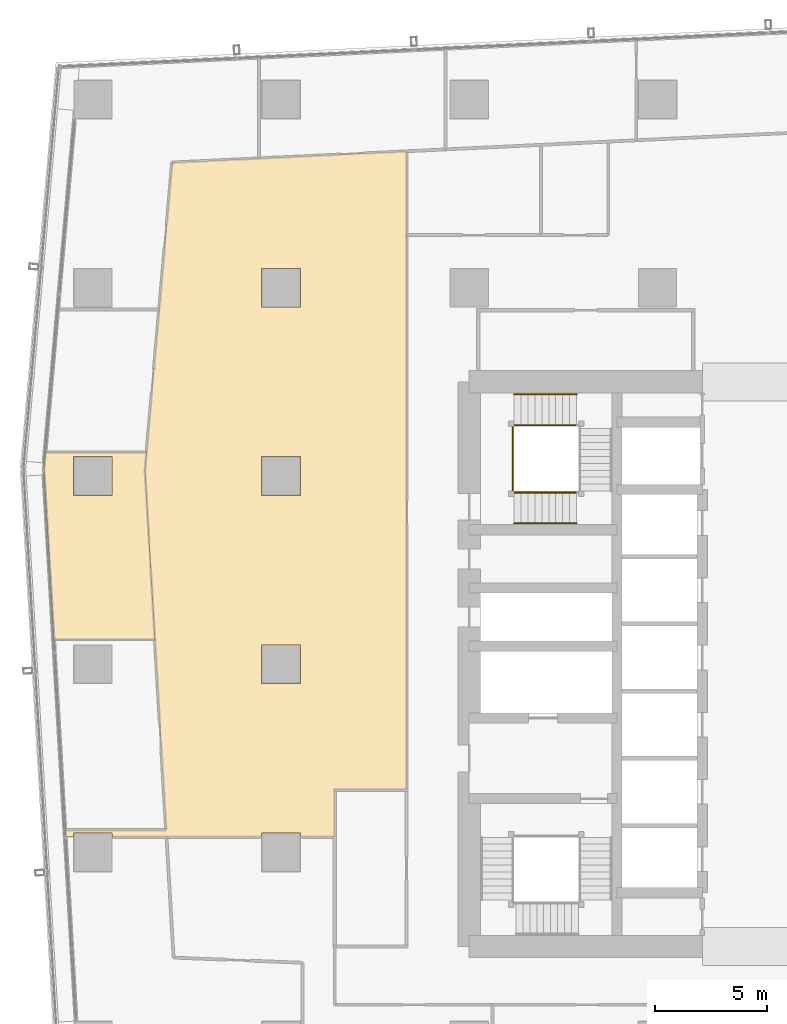
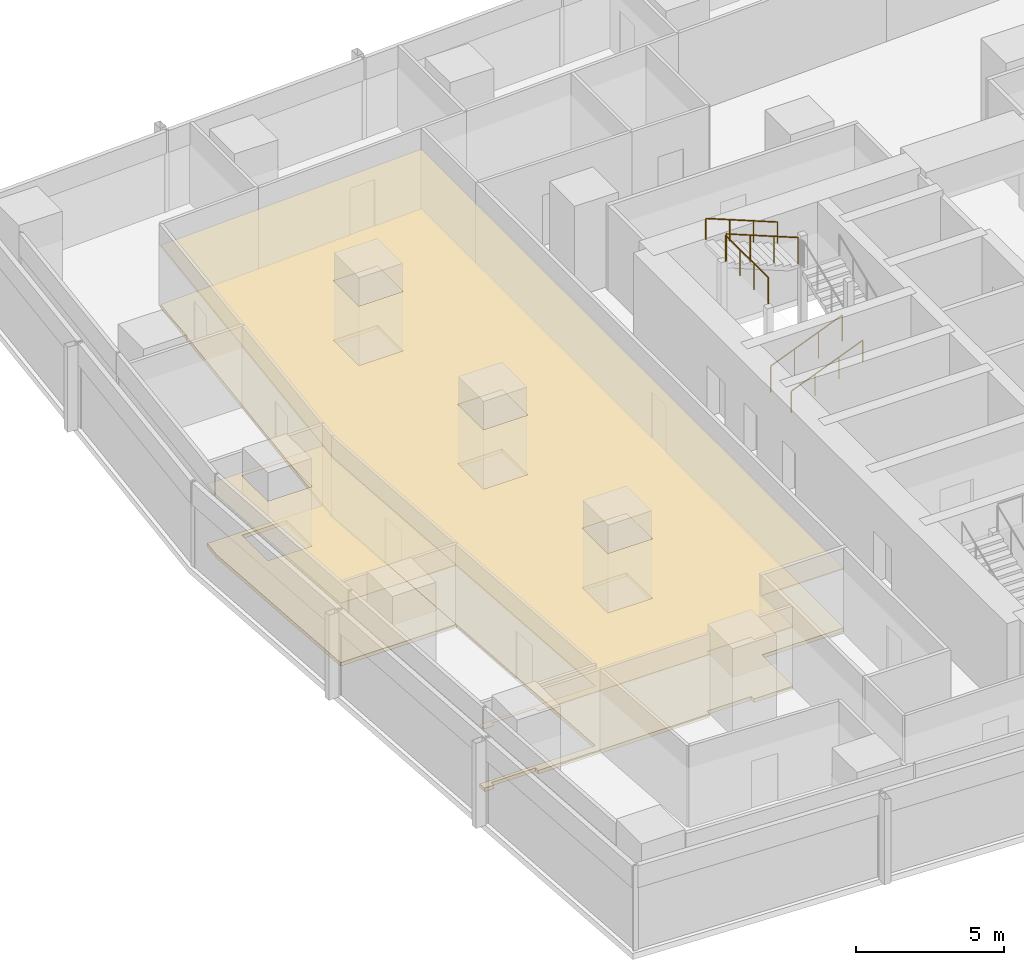
# One storey, part 34 of 39: 5 railings, 4 coverings.
"""IFC4 building model written with IfcOpenShell, lengths in metres."""

from ifc_helpers import new_model, si_unit, direction, frame, origin, origin_2d, place, context, subcontext, project, spatial, polyline, circle, outline, extrude, material, layer, layer_set, type_object, element, save


model = new_model("IFC4")

# Units and contexts
model_context = context("Model", 3, precision=1e-05, world=origin(), true_north=direction((0.0, 1.0)))
body_context = subcontext(model_context, "Body", "Model", "MODEL_VIEW")
ifc_project = project(units=[si_unit("LENGTHUNIT", "METRE"), si_unit("AREAUNIT", "SQUARE_METRE"), si_unit("VOLUMEUNIT", "CUBIC_METRE"), si_unit("PLANEANGLEUNIT", "RADIAN"), si_unit("MASSUNIT", "GRAM", prefix="KILO")], contexts=[model_context])

# Site, building, storey
site_placement = place(None, origin())
site = spatial("IfcSite", under=ifc_project, at=site_placement, CompositionType="ELEMENT")
building_placement = place(site_placement, origin())
building = spatial("IfcBuilding", under=site, at=building_placement, Name="Rekha Terrace Tower", CompositionType="ELEMENT")
storey_placement = place(building_placement, frame((0.0, 0.0, 180.199951171875)))
storey = spatial("IfcBuildingStorey", under=building, at=storey_placement, Name="L45", CompositionType="ELEMENT", Elevation=180.199951171875)

# Coverings
ifc_material_1 = material(Name="Mineral fibre tile in exposed grid", Category="finish")
ifc_layer_1 = layer(ifc_material_1, 0.02001953125)
ifc_layer_set_1 = layer_set([ifc_layer_1], Name="Mineral fibre tile in exposed grid")
covering_type_1 = type_object("IfcCoveringType", Name="CL1 600x1200 office grid ceiling", PredefinedType="CEILING", material=ifc_layer_set_1)
covering_1_placement = place(storey_placement, frame((0.0, 0.0, 2.580078125)))
element("IfcCovering", 1, at=covering_1_placement, inside=storey, type_object=covering_type_1, Name="Ceiling L45-20", PredefinedType="CEILING", context=body_context, shape_type="SweptSolid", body=[
    extrude(outline(polyline([(6.212890625, 42.31494140625), (6.660888671875, 34.7109375), (11.16796875, 34.7109375), (10.72509765625, 42.2490234375), (10.794921875, 43.0439453125), (6.277099609375, 43.0439453125), (6.212890625, 42.31494140625)]), holes=[polyline([(9.264892578125, 41.135009765625), (7.534912109375, 41.135009765625), (7.534912109375, 42.864990234375), (9.264892578125, 42.864990234375), (9.264892578125, 41.135009765625)])]), origin(), (0.0, 0.0, 1.0), 0.02001953125),
])
covering_2_placement = place(storey_placement, frame((0.0, 0.0, 2.580078125)))
element("IfcCovering", 2, at=covering_2_placement, inside=storey, type_object=covering_type_1, Name="Ceiling L45-O2", PredefinedType="CEILING", context=body_context, shape_type="SweptSolid", body=[
    extrude(outline(polyline([(11.35791015625, 49.427978515625), (10.794921875, 43.0439453125), (10.72509765625, 42.2490234375), (11.1689453125, 34.695068359375), (11.669921875, 26.198974609375), (7.162109375, 26.198974609375), (7.179931640625, 25.888916015625), (7.534912109375, 25.888916015625), (7.534912109375, 26.06494140625), (9.264892578125, 26.06494140625), (9.264892578125, 25.888916015625), (15.93505859375, 25.888916015625), (15.93505859375, 26.06494140625), (17.6650390625, 26.06494140625), (17.6650390625, 25.888916015625), (19.199951171875, 25.888916015625), (19.199951171875, 28.0), (22.39990234375, 28.0), (22.39990234375, 56.492919921875), (15.800048828125, 56.177001953125), (11.93798828125, 55.992919921875), (11.35888671875, 49.427978515625), (11.35791015625, 49.427978515625)]), holes=[polyline([(17.6650390625, 32.735107421875), (15.93505859375, 32.735107421875), (15.93505859375, 34.465087890625), (17.6650390625, 34.465087890625), (17.6650390625, 32.735107421875)]), polyline([(17.6650390625, 42.864990234375), (17.6650390625, 41.135009765625), (15.93505859375, 41.135009765625), (15.93505859375, 42.864990234375), (17.6650390625, 42.864990234375)]), polyline([(17.6650390625, 51.264892578125), (17.6650390625, 49.534912109375), (15.93505859375, 49.534912109375), (15.93505859375, 51.264892578125), (17.6650390625, 51.264892578125)])]), origin(), (0.0, 0.0, 1.0), 0.02001953125),
])

# Railings
ifc_material_2 = material(Name="Stainless steel balustrade", Category="steel")
railing_type_1 = type_object("IfcRailingType", Name="GR1 1100 stair guard", PredefinedType="GUARDRAIL", material=ifc_material_2)
railing_1_placement = place(storey_placement, frame((27.199951171875, 41.264892578125, 0.125)))
element("IfcRailing", 3, at=railing_1_placement, inside=storey, type_object=railing_type_1, Name="Guard ST4 L45 flight 1", PredefinedType="GUARDRAIL", context=body_context, shape_type="SweptSolid", body=[
    extrude(circle(Radius=0.02392578125, at=origin_2d()), frame((0.0, 0.0, 1.076171875), z_axis=(0.927443287984, 0.0, 0.373963831907), x_axis=(0.0, 1.0, 0.0)), (0.0, 0.0, 1.0), 3.00830078125),
    extrude(circle(Radius=0.02099609375, at=origin_2d()), origin(), (0.0, 0.0, 1.0), 1.052001953125),
    extrude(circle(Radius=0.02099609375, at=origin_2d()), frame((0.929931640625, 0.0, 0.375)), (0.0, 0.0, 1.0), 1.052001953125),
    extrude(circle(Radius=0.02099609375, at=origin_2d()), frame((1.860107421875, 0.0, 0.75)), (0.0, 0.0, 1.0), 1.052001953125),
    extrude(circle(Radius=0.02099609375, at=origin_2d()), frame((2.7900390625, 0.0, 1.125)), (0.0, 0.0, 1.0), 1.052001953125),
])
railing_2_placement = place(storey_placement, frame((29.989990234375, 44.260009765625, 2.625)))
element("IfcRailing", 4, at=railing_2_placement, inside=storey, type_object=railing_type_1, Name="Guard ST4 L45 flight 3", PredefinedType="GUARDRAIL", context=body_context, shape_type="SweptSolid", body=[
    extrude(circle(Radius=0.02392578125, at=origin_2d()), frame((0.0, 0.0, 1.076171875), z_axis=(-0.927443287984, 0.0, 0.373963831907), x_axis=(0.0, -1.0, 0.0)), (0.0, 0.0, 1.0), 3.00830078125),
    extrude(circle(Radius=0.02099609375, at=origin_2d()), origin(), (0.0, 0.0, 1.0), 1.052001953125),
    extrude(circle(Radius=0.02099609375, at=origin_2d()), frame((-0.929931640625, 0.0, 0.375)), (0.0, 0.0, 1.0), 1.052001953125),
    extrude(circle(Radius=0.02099609375, at=origin_2d()), frame((-1.860107421875, 0.0, 0.75)), (0.0, 0.0, 1.0), 1.052001953125),
    extrude(circle(Radius=0.02099609375, at=origin_2d()), frame((-2.7900390625, 0.0, 1.125)), (0.0, 0.0, 1.0), 1.052001953125),
])
railing_3_placement = place(storey_placement, frame((27.139892578125, 41.324951171875, 3.75)))
element("IfcRailing", 5, at=railing_3_placement, inside=storey, type_object=railing_type_1, Name="Guard ST4 L45 landing 4", PredefinedType="GUARDRAIL", context=body_context, shape_type="SweptSolid", body=[
    extrude(circle(Radius=0.02392578125, at=origin_2d()), frame((0.0, 0.0, 1.076171875), z_axis=(0.0, 1.0, 0.0), x_axis=(-1.0, 0.0, 0.0)), (0.0, 0.0, 1.0), 2.875),
    extrude(circle(Radius=0.02099609375, at=origin_2d()), origin(), (0.0, 0.0, 1.0), 1.052001953125),
    extrude(circle(Radius=0.02099609375, at=origin_2d()), frame((0.0, 0.958251953125, 0.0)), (0.0, 0.0, 1.0), 1.052001953125),
    extrude(circle(Radius=0.02099609375, at=origin_2d()), frame((0.0, 1.916748046875, 0.0)), (0.0, 0.0, 1.0), 1.052001953125),
    extrude(circle(Radius=0.02099609375, at=origin_2d()), frame((0.0, 2.875, 0.0)), (0.0, 0.0, 1.0), 1.052001953125),
])
ifc_material_3 = material(Name="Stainless steel tube", Category="steel")
railing_type_2 = type_object("IfcRailingType", Name="HR1 900 stair handrail", PredefinedType="HANDRAIL", material=ifc_material_3)
railing_4_placement = place(storey_placement, frame((27.199951171875, 39.885009765625, 0.125)))
element("IfcRailing", 6, at=railing_4_placement, inside=storey, type_object=railing_type_2, Name="Handrail ST4 L45 flight 1", PredefinedType="HANDRAIL", context=body_context, shape_type="SweptSolid", body=[
    extrude(circle(Radius=0.02392578125, at=origin_2d()), frame((0.0, 0.0, 0.8759765625), z_axis=(0.927443287984, 0.0, 0.373963831907), x_axis=(0.0, 1.0, 0.0)), (0.0, 0.0, 1.0), 3.00830078125),
    extrude(circle(Radius=0.02099609375, at=origin_2d()), origin(), (0.0, 0.0, 1.0), 0.851806640625),
    extrude(circle(Radius=0.02099609375, at=origin_2d()), frame((0.929931640625, 0.0, 0.375)), (0.0, 0.0, 1.0), 0.851806640625),
    extrude(circle(Radius=0.02099609375, at=origin_2d()), frame((1.860107421875, 0.0, 0.75)), (0.0, 0.0, 1.0), 0.851806640625),
    extrude(circle(Radius=0.02099609375, at=origin_2d()), frame((2.7900390625, 0.0, 1.125)), (0.0, 0.0, 1.0), 0.851806640625),
])
railing_5_placement = place(storey_placement, frame((29.989990234375, 45.639892578125, 2.625)))
element("IfcRailing", 7, at=railing_5_placement, inside=storey, type_object=railing_type_2, Name="Handrail ST4 L45 flight 3", PredefinedType="HANDRAIL", context=body_context, shape_type="SweptSolid", body=[
    extrude(circle(Radius=0.02392578125, at=origin_2d()), frame((0.0, 0.0, 0.8759765625), z_axis=(-0.927443287984, 0.0, 0.373963831907), x_axis=(0.0, -1.0, 0.0)), (0.0, 0.0, 1.0), 3.00830078125),
    extrude(circle(Radius=0.02099609375, at=origin_2d()), origin(), (0.0, 0.0, 1.0), 0.851806640625),
    extrude(circle(Radius=0.02099609375, at=origin_2d()), frame((-0.929931640625, 0.0, 0.375)), (0.0, 0.0, 1.0), 0.851806640625),
    extrude(circle(Radius=0.02099609375, at=origin_2d()), frame((-1.860107421875, 0.0, 0.75)), (0.0, 0.0, 1.0), 0.851806640625),
    extrude(circle(Radius=0.02099609375, at=origin_2d()), frame((-2.7900390625, 0.0, 1.125)), (0.0, 0.0, 1.0), 0.851806640625),
])

# Coverings
ifc_material_4 = material(Name="Calcium sulphate panels on steel pedestals", Category="steel")
ifc_layer_2 = layer(ifc_material_4, 0.14990234375)
ifc_layer_set_2 = layer_set([ifc_layer_2], Name="Calcium sulphate panels on steel pedestals")
covering_type_2 = type_object("IfcCoveringType", Name="RF1 150 raised access floor", PredefinedType="FLOORING", material=ifc_layer_set_2)
covering_3_placement = place(storey_placement, origin())
element("IfcCovering", 8, at=covering_3_placement, inside=storey, type_object=covering_type_2, Name="Raised floor L45-20", PredefinedType="FLOORING", context=body_context, shape_type="SweptSolid", body=[
    extrude(outline(polyline([(6.212890625, 42.31494140625), (6.660888671875, 34.7109375), (11.16796875, 34.7109375), (10.72509765625, 42.2490234375), (10.794921875, 43.0439453125), (6.277099609375, 43.0439453125), (6.212890625, 42.31494140625)]), holes=[polyline([(9.264892578125, 41.135009765625), (7.534912109375, 41.135009765625), (7.534912109375, 42.864990234375), (9.264892578125, 42.864990234375), (9.264892578125, 41.135009765625)])]), origin(), (0.0, 0.0, 1.0), 0.150146484375),
])
covering_4_placement = place(storey_placement, origin())
element("IfcCovering", 9, at=covering_4_placement, inside=storey, type_object=covering_type_2, Name="Raised floor L45-O2", PredefinedType="FLOORING", context=body_context, shape_type="SweptSolid", body=[
    extrude(outline(polyline([(11.35791015625, 49.427978515625), (10.794921875, 43.0439453125), (10.72509765625, 42.2490234375), (11.1689453125, 34.695068359375), (11.669921875, 26.198974609375), (7.162109375, 26.198974609375), (7.179931640625, 25.888916015625), (7.534912109375, 25.888916015625), (7.534912109375, 26.06494140625), (9.264892578125, 26.06494140625), (9.264892578125, 25.888916015625), (15.93505859375, 25.888916015625), (15.93505859375, 26.06494140625), (17.6650390625, 26.06494140625), (17.6650390625, 25.888916015625), (19.199951171875, 25.888916015625), (19.199951171875, 28.0), (22.39990234375, 28.0), (22.39990234375, 56.492919921875), (15.800048828125, 56.177001953125), (11.93798828125, 55.992919921875), (11.35888671875, 49.427978515625), (11.35791015625, 49.427978515625)]), holes=[polyline([(17.6650390625, 32.735107421875), (15.93505859375, 32.735107421875), (15.93505859375, 34.465087890625), (17.6650390625, 34.465087890625), (17.6650390625, 32.735107421875)]), polyline([(17.6650390625, 42.864990234375), (17.6650390625, 41.135009765625), (15.93505859375, 41.135009765625), (15.93505859375, 42.864990234375), (17.6650390625, 42.864990234375)]), polyline([(17.6650390625, 51.264892578125), (17.6650390625, 49.534912109375), (15.93505859375, 49.534912109375), (15.93505859375, 51.264892578125), (17.6650390625, 51.264892578125)])]), origin(), (0.0, 0.0, 1.0), 0.150146484375),
])

save(model, "model.ifc")
